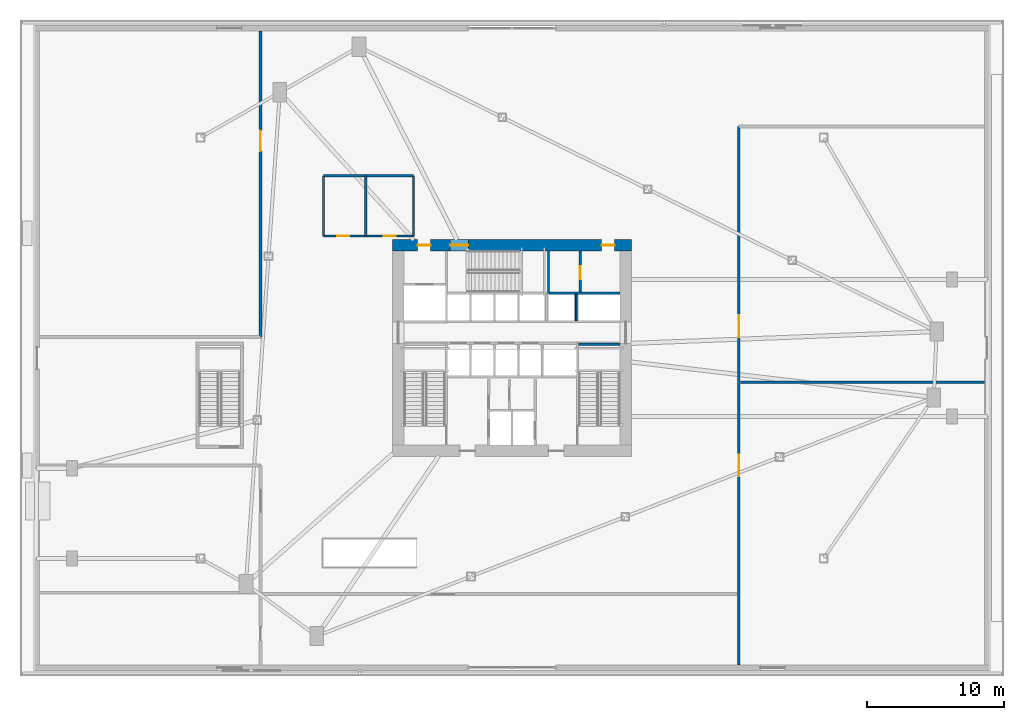
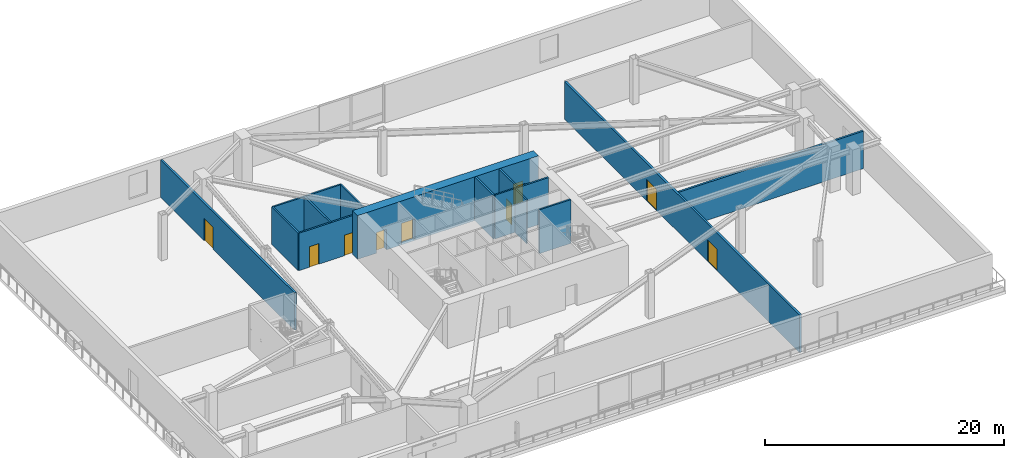
# One storey, part 8 of 14: 14 walls, 9 doors, 9 openings.
"""IFC4 building model written with IfcOpenShell, lengths in metres."""

from ifc_helpers import new_model, si_unit, direction, frame, frame_2d, origin, place, context, subcontext, project, spatial, rectangle, extrude, source, transform, mapped, material, layer, layer_set, type_object, type_shapes, element, fill, save


model = new_model("IFC4")

# Units and contexts
model_context = context("Model", 3, precision=1e-05, world=origin(), true_north=direction((0.0, 1.0)))
body_context = subcontext(model_context, "Body", "Model", "MODEL_VIEW")
ifc_project = project(units=[si_unit("LENGTHUNIT", "METRE"), si_unit("AREAUNIT", "SQUARE_METRE"), si_unit("VOLUMEUNIT", "CUBIC_METRE"), si_unit("PLANEANGLEUNIT", "RADIAN"), si_unit("MASSUNIT", "GRAM", prefix="KILO")], contexts=[model_context])

# Site, building, storey
site_placement = place(None, origin())
site = spatial("IfcSite", under=ifc_project, at=site_placement, CompositionType="ELEMENT")
building_placement = place(site_placement, origin())
building = spatial("IfcBuilding", under=site, at=building_placement, Name="Olszyna Solenne Hotel", CompositionType="ELEMENT")
storey_placement = place(building_placement, frame((0.0, 0.0, 5.39990234375)))
storey = spatial("IfcBuildingStorey", under=building, at=storey_placement, Name="L01", CompositionType="ELEMENT", Elevation=5.39990234375)

# Wall, openings, doors
ifc_material_1 = material(Name="Concrete C60/75", Category="concrete")
ifc_layer_1 = layer(ifc_material_1, 0.85009765625, Name="Concrete C60/75")
ifc_layer_set_1 = layer_set([ifc_layer_1], Name="Concrete C60/75")
wall_type_1 = type_object("IfcWallType", Name="WL-CR850", PredefinedType="SHEAR", material=ifc_layer_set_1)
wall_1_placement = place(storey_placement, frame((29.25, 34.125, 0.0), z_axis=(0.0, 0.0, 1.0), x_axis=(1.0, 0.0, 0.0)))
wall_1 = element("IfcWall", 1, at=wall_1_placement, inside=storey, type_object=wall_type_1, Name="Core shear wall WL-CR850 CRW-L01-N", PredefinedType="SHEAR", context=body_context, shape_type="SweptSolid", body=[
    extrude(rectangle(XDim=17.5, YDim=0.85009765625, at=frame_2d((8.75, 0.0))), origin(), (0.0, 0.0, 1.0), 4.47998046875),
])
opening_1_placement = place(wall_1_placement, frame((1.85009765625, 0.0, 0.0)))
opening_1 = element("IfcOpeningElement", 2, at=opening_1_placement, cuts=wall_1, Name="Opening SVD-L01-01", PredefinedType="OPENING", context=body_context, shape_type="SweptSolid", body=[
    extrude(rectangle(XDim=0.949951171875, YDim=2.10009765625, at=frame_2d((0.47509765625, 1.050048828125))), frame((0.0, 0.43505859375, 0.0), z_axis=(0.0, -1.0, 0.0), x_axis=(1.0, 0.0, 0.0)), (0.0, 0.0, 1.0), 0.8701171875),
])
opening_2_placement = place(wall_1_placement, frame((4.22998046875, 0.0, 0.0)))
opening_2 = element("IfcOpeningElement", 3, at=opening_2_placement, cuts=wall_1, Name="Opening STD-L01-03", PredefinedType="OPENING", context=body_context, shape_type="SweptSolid", body=[
    extrude(rectangle(XDim=1.320068359375, YDim=2.199951171875, at=frame_2d((0.66015625, 1.10009765625))), frame((0.0, 0.43505859375, 0.0), z_axis=(0.0, -1.0, 0.0), x_axis=(1.0, 0.0, 0.0)), (0.0, 0.0, 1.0), 0.8701171875),
])
opening_3_placement = place(wall_1_placement, frame((15.300048828125, 0.0, 0.0)))
opening_3 = element("IfcOpeningElement", 4, at=opening_3_placement, cuts=wall_1, Name="Opening SVD-L01-BN", PredefinedType="OPENING", context=body_context, shape_type="SweptSolid", body=[
    extrude(rectangle(XDim=0.949951171875, YDim=2.10009765625, at=frame_2d((0.47509765625, 1.050048828125))), frame((0.0, 0.43505859375, 0.0), z_axis=(0.0, -1.0, 0.0), x_axis=(1.0, 0.0, 0.0)), (0.0, 0.0, 1.0), 0.8701171875),
])
ifc_material_2 = material(Name="Steel S355J2", Category="steel")
door_type_1 = type_object("IfcDoorType", Name="DR-ST1", OperationType="NOTDEFINED", PredefinedType="DOOR", material=ifc_material_2)
shared_shape_1 = source(origin(), body_context, "Body", "SweptSolid", [
    extrude(rectangle(XDim=1.320068359375, YDim=2.199951171875, at=frame_2d((0.66015625, 1.10009765625))), frame((0.0, 0.02490234375, 0.0), z_axis=(0.0, -1.0, 0.0), x_axis=(1.0, 0.0, 0.0)), (0.0, 0.0, 1.0), 0.050048828125),
])
type_shapes(door_type_1, [shared_shape_1])
door_1_placement = place(opening_2_placement, origin())
door_1 = element("IfcDoor", 5, at=door_1_placement, inside=storey, type_object=door_type_1, Name="Pressurised exit stair ST3 fire door STD-L01-03", OperationType="SINGLE_SWING_RIGHT", OverallHeight=2.199951171875, OverallWidth=1.320068359375, PredefinedType="DOOR", context=body_context, shape_type="MappedRepresentation", body=[
    mapped(shared_shape_1, transform((0.0, 0.0, 0.0), x_axis=(1.0, 0.0, 0.0), y_axis=(0.0, 1.0, 0.0), z_axis=(0.0, 0.0, 1.0), scale=1.0)),
])
fill(opening_2, door_1)
door_type_2 = type_object("IfcDoorType", Name="DR-SV1", OperationType="NOTDEFINED", PredefinedType="DOOR", material=ifc_material_2)
shared_shape_2 = source(origin(), body_context, "Body", "SweptSolid", [
    extrude(rectangle(XDim=0.949951171875, YDim=2.10009765625, at=frame_2d((0.47509765625, 1.050048828125))), frame((0.0, 0.02490234375, 0.0), z_axis=(0.0, -1.0, 0.0), x_axis=(1.0, 0.0, 0.0)), (0.0, 0.0, 1.0), 0.050048828125),
])
type_shapes(door_type_2, [shared_shape_2])
door_2_placement = place(opening_1_placement, origin())
door_2 = element("IfcDoor", 6, at=door_2_placement, inside=storey, type_object=door_type_2, Name="Service lift lobby fire door SVD-L01-01", OperationType="SINGLE_SWING_LEFT", OverallHeight=2.10009765625, OverallWidth=0.949951171875, PredefinedType="DOOR", context=body_context, shape_type="MappedRepresentation", body=[
    mapped(shared_shape_2, transform((0.0, 0.0, 0.0), x_axis=(1.0, 0.0, 0.0), y_axis=(0.0, 1.0, 0.0), z_axis=(0.0, 0.0, 1.0), scale=1.0)),
])
fill(opening_1, door_2)
door_3_placement = place(opening_3_placement, origin())
door_3 = element("IfcDoor", 7, at=door_3_placement, inside=storey, type_object=door_type_2, Name="Housekeeping core fire door SVD-L01-BN", OperationType="SINGLE_SWING_LEFT", OverallHeight=2.10009765625, OverallWidth=0.949951171875, PredefinedType="DOOR", context=body_context, shape_type="MappedRepresentation", body=[
    mapped(shared_shape_2, transform((0.0, 0.0, 0.0), x_axis=(1.0, 0.0, 0.0), y_axis=(0.0, 1.0, 0.0), z_axis=(0.0, 0.0, 1.0), scale=1.0)),
])
fill(opening_3, door_3)

# Walls
ifc_material_3 = material(Name="Acoustic gypsum partition", Category="gypsum")
ifc_layer_2 = layer(ifc_material_3, 0.125, Name="Acoustic gypsum partition")
ifc_layer_set_2 = layer_set([ifc_layer_2], Name="Acoustic gypsum partition")
wall_type_2 = type_object("IfcWallType", Name="WL-PT125", PredefinedType="PARTITIONING", material=ifc_layer_set_2)
wall_2_placement = place(storey_placement, frame((42.699951171875, 28.60009765625, 0.0), z_axis=(0.0, 0.0, 1.0), x_axis=(0.0, 1.0, 0.0)))
element("IfcWall", 8, at=wall_2_placement, inside=storey, type_object=wall_type_2, Name="Core shaft compartment wall CW-L01-DIVEX427", PredefinedType="PARTITIONING", context=body_context, shape_type="SweptSolid", body=[
    extrude(rectangle(XDim=1.919921875, YDim=0.125, at=frame_2d((0.9599609375, 0.0))), origin(), (0.0, 0.0, 1.0), 4.47998046875),
])
ifc_layer_3 = layer(ifc_material_3, 0.159912109375, Name="Acoustic gypsum partition")
ifc_layer_set_3 = layer_set([ifc_layer_3], Name="Acoustic gypsum partition")
wall_type_3 = type_object("IfcWallType", Name="WL-PT160", PredefinedType="PARTITIONING", material=ifc_layer_set_3)
wall_3_placement = place(storey_placement, frame((42.8798828125, 26.8798828125, 0.0), z_axis=(0.0, 0.0, 1.0), x_axis=(1.0, 0.0, 0.0)))
element("IfcWall", 9, at=wall_3_placement, inside=storey, type_object=wall_type_3, Name="Core shaft compartment wall CW-L01-ST2N", PredefinedType="PARTITIONING", context=body_context, shape_type="SweptSolid", body=[
    extrude(rectangle(XDim=3.02001953125, YDim=0.159912109375, at=frame_2d((1.510009765625, 0.0))), origin(), (0.0, 0.0, 1.0), 4.47998046875),
])
wall_4_placement = place(storey_placement, frame((40.659912109375, 30.60009765625, 0.0), z_axis=(0.0, 0.0, 1.0), x_axis=(0.0, 1.0, 0.0)))
element("IfcWall", 10, at=wall_4_placement, inside=storey, type_object=wall_type_3, Name="Core shaft compartment wall CW-L01-ST3E", PredefinedType="PARTITIONING", context=body_context, shape_type="SweptSolid", body=[
    extrude(rectangle(XDim=3.099853515625, YDim=0.159912109375, at=frame_2d((1.5498046875, 0.0))), origin(), (0.0, 0.0, 1.0), 4.47998046875),
])
wall_5_placement = place(storey_placement, frame((40.719970703125, 30.60009765625, 0.0), z_axis=(0.0, 0.0, 1.0), x_axis=(1.0, 0.0, 0.0)))
element("IfcWall", 11, at=wall_5_placement, inside=storey, type_object=wall_type_3, Name="Core shaft compartment wall CW-L01-LRNTOP", PredefinedType="PARTITIONING", context=body_context, shape_type="SweptSolid", body=[
    extrude(rectangle(XDim=5.179931640625, YDim=0.159912109375, at=frame_2d((2.58984375, 0.0))), origin(), (0.0, 0.0, 1.0), 4.47998046875),
])

# Wall, opening, door
wall_6_placement = place(storey_placement, frame((42.989990234375, 30.679931640625, 0.0), z_axis=(0.0, 0.0, 1.0), x_axis=(0.0, 1.0, 0.0)))
wall_6 = element("IfcWall", 12, at=wall_6_placement, inside=storey, type_object=wall_type_3, Name="Core shaft compartment wall CW-L01-BOH1", PredefinedType="PARTITIONING", context=body_context, shape_type="SweptSolid", body=[
    extrude(rectangle(XDim=3.02001953125, YDim=0.159912109375, at=frame_2d((1.510009765625, 0.0))), origin(), (0.0, 0.0, 1.0), 4.47998046875),
])
opening_4_placement = place(wall_6_placement, frame((0.949951171875, 0.0, 0.0)))
opening_4 = element("IfcOpeningElement", 13, at=opening_4_placement, cuts=wall_6, Name="Opening SVD-L01-BI1", PredefinedType="OPENING", context=body_context, shape_type="SweptSolid", body=[
    extrude(rectangle(XDim=0.949951171875, YDim=2.10009765625, at=frame_2d((0.47509765625, 1.050048828125))), frame((0.0, 0.08984375, 0.0), z_axis=(0.0, -1.0, 0.0), x_axis=(1.0, 0.0, 0.0)), (0.0, 0.0, 1.0), 0.179931640625),
])
door_4_placement = place(opening_4_placement, origin())
door_4 = element("IfcDoor", 14, at=door_4_placement, inside=storey, type_object=door_type_2, Name="BOH inter-room fire door SVD-L01-BI1", OperationType="SINGLE_SWING_LEFT", OverallHeight=2.10009765625, OverallWidth=0.949951171875, PredefinedType="DOOR", context=body_context, shape_type="MappedRepresentation", body=[
    mapped(shared_shape_2, transform((0.0, 0.0, 0.0), x_axis=(1.0, 0.0, 0.0), y_axis=(0.0, 1.0, 0.0), z_axis=(0.0, 0.0, 1.0), scale=1.0)),
])
fill(opening_4, door_4)

# Wall, openings, doors
wall_7_placement = place(storey_placement, frame((24.199951171875, 34.800048828125, 0.0), z_axis=(0.0, 0.0, 1.0), x_axis=(1.0, 0.0, 0.0)))
wall_7 = element("IfcWall", 15, at=wall_7_placement, inside=storey, type_object=wall_type_3, Name="Interior acoustic partition WL-PT160 PW-L01-0144", PredefinedType="PARTITIONING", context=body_context, shape_type="SweptSolid", body=[
    extrude(rectangle(XDim=6.60009765625, YDim=0.159912109375, at=frame_2d((3.300048828125, 0.0))), origin(), (0.0, 0.0, 1.0), 3.830078125),
])
opening_5_placement = place(wall_7_placement, frame((1.0, 0.0, 0.0)))
opening_5 = element("IfcOpeningElement", 16, at=opening_5_placement, cuts=wall_7, Name="Opening DR-L01-0031", PredefinedType="OPENING", context=body_context, shape_type="SweptSolid", body=[
    extrude(rectangle(XDim=0.89990234375, YDim=2.10009765625, at=frame_2d((0.449951171875, 1.050048828125))), frame((0.0, 0.08984375, 0.0), z_axis=(0.0, -1.0, 0.0), x_axis=(1.0, 0.0, 0.0)), (0.0, 0.0, 1.0), 0.179931640625),
])
opening_6_placement = place(wall_7_placement, frame((4.39990234375, 0.0, 0.0)))
opening_6 = element("IfcOpeningElement", 17, at=opening_6_placement, cuts=wall_7, Name="Opening DR-L01-0032", PredefinedType="OPENING", context=body_context, shape_type="SweptSolid", body=[
    extrude(rectangle(XDim=0.89990234375, YDim=2.10009765625, at=frame_2d((0.449951171875, 1.050048828125))), frame((0.0, 0.08984375, 0.0), z_axis=(0.0, -1.0, 0.0), x_axis=(1.0, 0.0, 0.0)), (0.0, 0.0, 1.0), 0.179931640625),
])
ifc_material_4 = material(Name="Timber hardwood", Category="wood")
door_type_3 = type_object("IfcDoorType", Name="DR-WC1", OperationType="NOTDEFINED", PredefinedType="DOOR", material=ifc_material_4)
shared_shape_3 = source(origin(), body_context, "Body", "SweptSolid", [
    extrude(rectangle(XDim=0.89990234375, YDim=2.10009765625, at=frame_2d((0.449951171875, 1.050048828125))), frame((0.0, 0.02490234375, 0.0), z_axis=(0.0, -1.0, 0.0), x_axis=(1.0, 0.0, 0.0)), (0.0, 0.0, 1.0), 0.050048828125),
])
type_shapes(door_type_3, [shared_shape_3])
door_5_placement = place(opening_5_placement, origin())
door_5 = element("IfcDoor", 18, at=door_5_placement, inside=storey, type_object=door_type_3, Name="Accessible WC Door DR-L01-0031", OperationType="SINGLE_SWING_LEFT", OverallHeight=2.10009765625, OverallWidth=0.89990234375, PredefinedType="DOOR", context=body_context, shape_type="MappedRepresentation", body=[
    mapped(shared_shape_3, transform((0.0, 0.0, 0.0), x_axis=(1.0, 0.0, 0.0), y_axis=(0.0, 1.0, 0.0), z_axis=(0.0, 0.0, 1.0), scale=1.0)),
])
fill(opening_5, door_5)
door_6_placement = place(opening_6_placement, origin())
door_6 = element("IfcDoor", 19, at=door_6_placement, inside=storey, type_object=door_type_3, Name="Public Restrooms Door DR-L01-0032", OperationType="SINGLE_SWING_RIGHT", OverallHeight=2.10009765625, OverallWidth=0.89990234375, PredefinedType="DOOR", context=body_context, shape_type="MappedRepresentation", body=[
    mapped(shared_shape_3, transform((0.0, 0.0, 0.0), x_axis=(1.0, 0.0, 0.0), y_axis=(0.0, 1.0, 0.0), z_axis=(0.0, 0.0, 1.0), scale=1.0)),
])
fill(opening_6, door_6)

# Walls
wall_8_placement = place(storey_placement, frame((24.199951171875, 39.199951171875, 0.0), z_axis=(0.0, 0.0, 1.0), x_axis=(1.0, 0.0, 0.0)))
element("IfcWall", 20, at=wall_8_placement, inside=storey, type_object=wall_type_3, Name="Interior acoustic partition WL-PT160 PW-L01-0145", PredefinedType="PARTITIONING", context=body_context, shape_type="SweptSolid", body=[
    extrude(rectangle(XDim=6.60009765625, YDim=0.159912109375, at=frame_2d((3.300048828125, 0.0))), origin(), (0.0, 0.0, 1.0), 3.830078125),
])
for number, where, z_axis, x_axis, name in (
    (21, (24.199951171875, 34.800048828125, 0.0), (0.0, 0.0, 1.0), (0.0, 1.0, 0.0), "Interior acoustic partition WL-PT160 PW-L01-0146"),
    (22, (27.300048828125, 34.800048828125, 0.0), (0.0, 0.0, 1.0), (0.0, 1.0, 0.0), "Interior acoustic partition WL-PT160 PW-L01-0147"),
    (23, (30.800048828125, 34.800048828125, 0.0), (0.0, 0.0, 1.0), (0.0, 1.0, 0.0), "Interior acoustic partition WL-PT160 PW-L01-0148"),
):
    element("IfcWall", number, at=place(storey_placement, frame(where, z_axis=z_axis, x_axis=x_axis)), inside=storey, type_object=wall_type_3, Name=name, PredefinedType="PARTITIONING", context=body_context, shape_type="SweptSolid", body=[
        extrude(rectangle(XDim=4.39990234375, YDim=0.159912109375, at=frame_2d((2.199951171875, 0.0))), origin(), (0.0, 0.0, 1.0), 3.830078125),
    ])

# Wall, opening, door
ifc_layer_4 = layer(ifc_material_3, 0.199951171875, Name="Acoustic gypsum partition")
ifc_layer_set_4 = layer_set([ifc_layer_4], Name="Acoustic gypsum partition")
wall_type_4 = type_object("IfcWallType", Name="WL-PT200", PredefinedType="PARTITIONING", material=ifc_layer_set_4)
wall_9_placement = place(storey_placement, frame((19.60009765625, 27.39990234375, 0.0), z_axis=(0.0, 0.0, 1.0), x_axis=(0.0, 1.0, 0.0)))
wall_9 = element("IfcWall", 24, at=wall_9_placement, inside=storey, type_object=wall_type_4, Name="Interior acoustic partition WL-PT200 PW-L01-0138", PredefinedType="PARTITIONING", context=body_context, shape_type="SweptSolid", body=[
    extrude(rectangle(XDim=22.400146484375, YDim=0.199951171875, at=frame_2d((11.2001953125, 0.0))), origin(), (0.0, 0.0, 1.0), 3.830078125),
])
opening_7_placement = place(wall_9_placement, frame((13.60009765625, 0.0, 0.0)))
opening_7 = element("IfcOpeningElement", 25, at=opening_7_placement, cuts=wall_9, Name="Opening DR-L01-0027", PredefinedType="OPENING", context=body_context, shape_type="SweptSolid", body=[
    extrude(rectangle(XDim=1.5, YDim=2.25, at=frame_2d((0.75, 1.125))), frame((0.0, 0.10986328125, 0.0), z_axis=(0.0, -1.0, 0.0), x_axis=(1.0, 0.0, 0.0)), (0.0, 0.0, 1.0), 0.219970703125),
])
door_type_4 = type_object("IfcDoorType", Name="DR-PL1", OperationType="DOUBLE_DOOR_SINGLE_SWING", PredefinedType="DOOR", material=ifc_material_2)
shared_shape_4 = source(origin(), body_context, "Body", "SweptSolid", [
    extrude(rectangle(XDim=1.5, YDim=2.25, at=frame_2d((0.75, 1.125))), frame((0.0, 0.02490234375, 0.0), z_axis=(0.0, -1.0, 0.0), x_axis=(1.0, 0.0, 0.0)), (0.0, 0.0, 1.0), 0.050048828125),
])
type_shapes(door_type_4, [shared_shape_4])
door_7_placement = place(opening_7_placement, origin())
door_7 = element("IfcDoor", 26, at=door_7_placement, inside=storey, type_object=door_type_4, Name="Kitchen Double Door DR-L01-0027", OperationType="DOUBLE_DOOR_SINGLE_SWING", OverallHeight=2.25, OverallWidth=1.5, PredefinedType="DOOR", context=body_context, shape_type="MappedRepresentation", body=[
    mapped(shared_shape_4, transform((0.0, 0.0, 0.0), x_axis=(1.0, 0.0, 0.0), y_axis=(0.0, 1.0, 0.0), z_axis=(0.0, 0.0, 1.0), scale=1.0)),
])
fill(opening_7, door_7)

# Wall, openings, doors
wall_10_placement = place(storey_placement, frame((54.60009765625, 3.39990234375, 0.0), z_axis=(0.0, 0.0, 1.0), x_axis=(0.0, 1.0, 0.0)))
wall_10 = element("IfcWall", 27, at=wall_10_placement, inside=storey, type_object=wall_type_4, Name="Interior acoustic partition WL-PT200 PW-L01-0141", PredefinedType="PARTITIONING", context=body_context, shape_type="SweptSolid", body=[
    extrude(rectangle(XDim=39.400146484375, YDim=0.199951171875, at=frame_2d((19.7001953125, 0.0))), origin(), (0.0, 0.0, 1.0), 3.830078125),
])
opening_8_placement = place(wall_10_placement, frame((13.800048828125, 0.0, 0.0)))
opening_8 = element("IfcOpeningElement", 28, at=opening_8_placement, cuts=wall_10, Name="Opening DR-L01-0029", PredefinedType="OPENING", context=body_context, shape_type="SweptSolid", body=[
    extrude(rectangle(XDim=1.60009765625, YDim=2.199951171875, at=frame_2d((0.800048828125, 1.10009765625))), frame((0.0, 0.10986328125, 0.0), z_axis=(0.0, -1.0, 0.0), x_axis=(1.0, 0.0, 0.0)), (0.0, 0.0, 1.0), 0.219970703125),
])
opening_9_placement = place(wall_10_placement, frame((24.0, 0.0, 0.0)))
opening_9 = element("IfcOpeningElement", 29, at=opening_9_placement, cuts=wall_10, Name="Opening DR-L01-0030", PredefinedType="OPENING", context=body_context, shape_type="SweptSolid", body=[
    extrude(rectangle(XDim=1.60009765625, YDim=2.199951171875, at=frame_2d((0.800048828125, 1.10009765625))), frame((0.0, 0.10986328125, 0.0), z_axis=(0.0, -1.0, 0.0), x_axis=(1.0, 0.0, 0.0)), (0.0, 0.0, 1.0), 0.219970703125),
])
door_type_5 = type_object("IfcDoorType", Name="DR-CR1", OperationType="DOUBLE_DOOR_SINGLE_SWING", PredefinedType="DOOR", material=ifc_material_4)
shared_shape_5 = source(origin(), body_context, "Body", "SweptSolid", [
    extrude(rectangle(XDim=1.60009765625, YDim=2.199951171875, at=frame_2d((0.800048828125, 1.10009765625))), frame((0.0, 0.02490234375, 0.0), z_axis=(0.0, -1.0, 0.0), x_axis=(1.0, 0.0, 0.0)), (0.0, 0.0, 1.0), 0.050048828125),
])
type_shapes(door_type_5, [shared_shape_5])
door_8_placement = place(opening_8_placement, origin())
door_8 = element("IfcDoor", 30, at=door_8_placement, inside=storey, type_object=door_type_5, Name="East Foyer Entrance DR-L01-0029", OperationType="DOUBLE_DOOR_SINGLE_SWING", OverallHeight=2.199951171875, OverallWidth=1.60009765625, PredefinedType="DOOR", context=body_context, shape_type="MappedRepresentation", body=[
    mapped(shared_shape_5, transform((0.0, 0.0, 0.0), x_axis=(1.0, 0.0, 0.0), y_axis=(0.0, 1.0, 0.0), z_axis=(0.0, 0.0, 1.0), scale=1.0)),
])
fill(opening_8, door_8)
door_9_placement = place(opening_9_placement, origin())
door_9 = element("IfcDoor", 31, at=door_9_placement, inside=storey, type_object=door_type_5, Name="East Gallery Entrance DR-L01-0030", OperationType="DOUBLE_DOOR_SINGLE_SWING", OverallHeight=2.199951171875, OverallWidth=1.60009765625, PredefinedType="DOOR", context=body_context, shape_type="MappedRepresentation", body=[
    mapped(shared_shape_5, transform((0.0, 0.0, 0.0), x_axis=(1.0, 0.0, 0.0), y_axis=(0.0, 1.0, 0.0), z_axis=(0.0, 0.0, 1.0), scale=1.0)),
])
fill(opening_9, door_9)

# Wall
wall_11_placement = place(storey_placement, frame((54.719970703125, 24.10009765625, 0.0), z_axis=(0.0, 0.0, 1.0), x_axis=(1.0, 0.0, 0.0)))
element("IfcWall", 32, at=wall_11_placement, inside=storey, type_object=wall_type_4, Name="Interior acoustic partition WL-PT200 PW-L01-0142", PredefinedType="PARTITIONING", context=body_context, shape_type="SweptSolid", body=[
    extrude(rectangle(XDim=17.85009765625, YDim=0.199951171875, at=frame_2d((8.925048828125, 0.0))), origin(), (0.0, 0.0, 1.0), 3.830078125),
])

save(model, "model.ifc")
